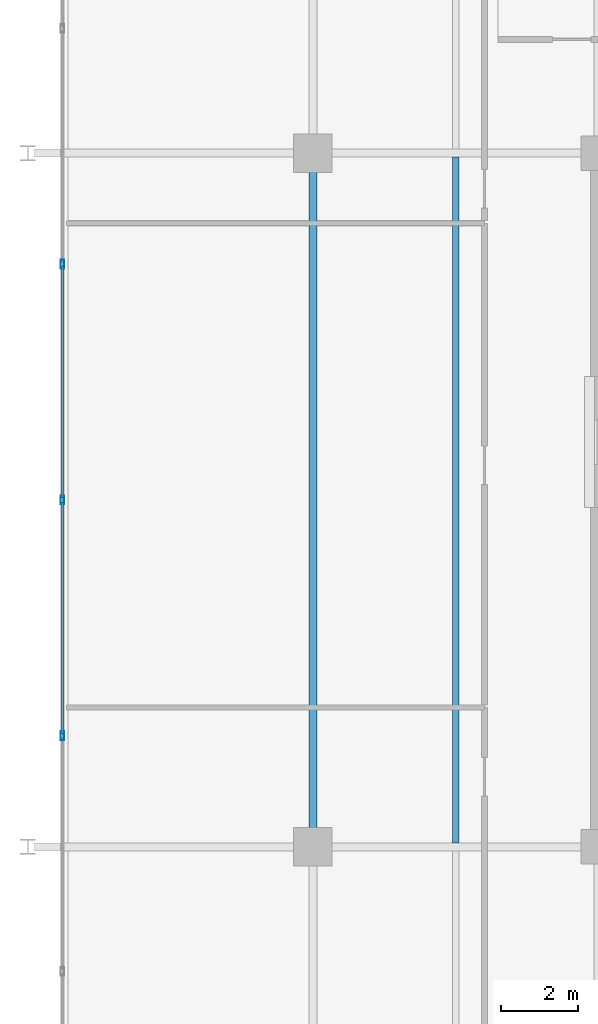
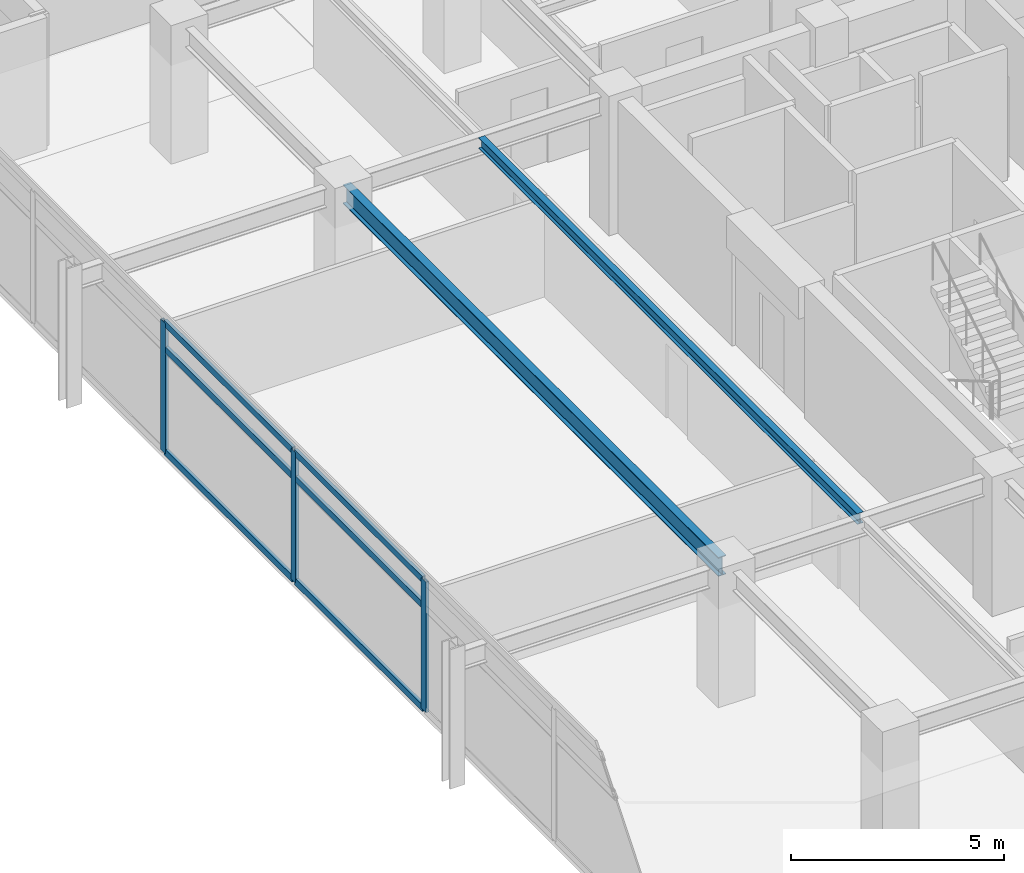
# One storey, part 4 of 20: 9 members, 2 beams, 1 element without a shape of its own.
"""IFC4 building model written with IfcOpenShell, lengths in metres."""

from ifc_helpers import new_model, si_unit, direction, frame, origin, origin_2d, place, context, subcontext, project, spatial, hollow_rectangle, i_section, extrude, material, material_profile, profile_set, type_object, element, aggregate, save


model = new_model("IFC4")

# Units and contexts
model_context = context("Model", 3, precision=1e-05, world=origin(), true_north=direction((0.0, 1.0)))
body_context = subcontext(model_context, "Body", "Model", "MODEL_VIEW")
ifc_project = project(units=[si_unit("LENGTHUNIT", "METRE"), si_unit("AREAUNIT", "SQUARE_METRE"), si_unit("VOLUMEUNIT", "CUBIC_METRE"), si_unit("PLANEANGLEUNIT", "RADIAN"), si_unit("MASSUNIT", "GRAM", prefix="KILO")], contexts=[model_context])

# Site, building, storey
site_placement = place(None, origin())
site = spatial("IfcSite", under=ifc_project, at=site_placement, CompositionType="ELEMENT")
building_placement = place(site_placement, origin())
building = spatial("IfcBuilding", under=site, at=building_placement, Name="Kovane Verandah Tower", CompositionType="ELEMENT")
storey_placement = place(building_placement, frame((0.0, 0.0, 322.800048828125)))
storey = spatial("IfcBuildingStorey", under=building, at=storey_placement, Name="L75", CompositionType="ELEMENT", Elevation=322.800048828125)

# Beam
ifc_material_1 = material(Name="Steel S355", Category="steel")
ifc_material_profile_1 = material_profile(ifc_material_1, i_section(OverallWidth=0.2119140625, OverallDepth=0.54443359375, WebThickness=0.0126953125, FlangeThickness=0.021240234375, FilletRadius=0.0126953125, at=origin_2d()), Name="UB533x210x122")
ifc_profile_set_1 = profile_set([ifc_material_profile_1], Name="Steel S355")
beam_type_1 = type_object("IfcBeamType", Name="BM-UB533x122", PredefinedType="BEAM", material=ifc_profile_set_1)
beam_1_placement = place(storey_placement, frame((21.60009765625, 18.679931640625, 3.5126953125), z_axis=(0.0, 1.0, 0.0), x_axis=(-1.0, 0.0, 0.0)))
element("IfcBeam", 1, at=beam_1_placement, inside=storey, type_object=beam_type_1, Name="L75 Primary Tower Girder G-RW2", PredefinedType="BEAM", context=body_context, shape_type="SweptSolid", body=[
    extrude(i_section(OverallWidth=0.2119140625, OverallDepth=0.54443359375, WebThickness=0.0126953125, FlangeThickness=0.021240234375, FilletRadius=0.0126953125, at=origin_2d()), origin(), (0.0, 0.0, 1.0), 17.64013671875),
])

# Curtain wall, members
ifc_material_2 = material(Name="Champagne Anodised Aluminium Frame with Low-E Clear Laminated Glass", Category="aluminium")
curtain_wall_type = type_object("IfcCurtainWallType", Name="CW-SYS-05-HIGH", PredefinedType="NOTDEFINED", material=ifc_material_2)
curtain_wall_placement = place(storey_placement, origin())
curtain_wall = element("IfcCurtainWall", 2, at=curtain_wall_placement, inside=storey, type_object=curtain_wall_type, Name="L75 W Unitised Curtain Wall", PredefinedType="NOTDEFINED")
ifc_material_3 = material(Name="Champagne Anodised Aluminium 6063-T6", Category="aluminium")
ifc_material_profile_2 = material_profile(ifc_material_3, hollow_rectangle(XDim=0.0849609375, YDim=0.22998046875, WallThickness=0.00390625, at=origin_2d()), Name="AL85x230x4")
ifc_profile_set_2 = profile_set([ifc_material_profile_2], Name="Champagne Anodised Aluminium 6063-T6")
member_type_1 = type_object("IfcMemberType", Name="CW-MUL-85x230", PredefinedType="MULLION", material=ifc_profile_set_2)
member_1_placement = place(storey_placement, frame((15.10009765625, 33.61669921875, 0.02001953125), z_axis=(0.0, 0.0, 1.0), x_axis=(-1.0, 0.0, 0.0)))
member_1 = element("IfcMember", 3, at=member_1_placement, type_object=member_type_1, Name="L75 W Unitised Curtain Wall Mullion 3", PredefinedType="MULLION", context=body_context, shape_type="SweptSolid", body=[
    extrude(hollow_rectangle(XDim=0.0849609375, YDim=0.22998046875, WallThickness=0.00390625, at=origin_2d()), origin(), (0.0, 0.0, 1.0), 3.744873046875),
])
member_2_placement = place(storey_placement, frame((15.10009765625, 27.5, 0.02001953125), z_axis=(0.0, 0.0, 1.0), x_axis=(-1.0, 0.0, 0.0)))
member_2 = element("IfcMember", 4, at=member_2_placement, type_object=member_type_1, Name="L75 W Unitised Curtain Wall Mullion 4", PredefinedType="MULLION", context=body_context, shape_type="SweptSolid", body=[
    extrude(hollow_rectangle(XDim=0.0849609375, YDim=0.22998046875, WallThickness=0.00390625, at=origin_2d()), origin(), (0.0, 0.0, 1.0), 3.744873046875),
])
member_3_placement = place(storey_placement, frame((15.10009765625, 21.38330078125, 0.02001953125), z_axis=(0.0, 0.0, 1.0), x_axis=(-1.0, 0.0, 0.0)))
member_3 = element("IfcMember", 5, at=member_3_placement, type_object=member_type_1, Name="L75 W Unitised Curtain Wall Mullion 5", PredefinedType="MULLION", context=body_context, shape_type="SweptSolid", body=[
    extrude(hollow_rectangle(XDim=0.0849609375, YDim=0.22998046875, WallThickness=0.00390625, at=origin_2d()), origin(), (0.0, 0.0, 1.0), 3.744873046875),
])
ifc_material_profile_3 = material_profile(ifc_material_3, hollow_rectangle(XDim=0.0849609375, YDim=0.18994140625, WallThickness=0.00390625, at=origin_2d()), Name="AL85x190x4")
ifc_profile_set_3 = profile_set([ifc_material_profile_3], Name="Champagne Anodised Aluminium 6063-T6")
member_type_2 = type_object("IfcMemberType", Name="CW-TRN-85x190", PredefinedType="USERDEFINED", material=ifc_profile_set_3)
member_4_placement = place(storey_placement, frame((15.10009765625, 33.566650390625, 0.050048828125), z_axis=(0.0, -1.0, 0.0), x_axis=(1.0, 0.0, 0.0)))
member_4 = element("IfcMember", 6, at=member_4_placement, type_object=member_type_2, Name="L75 W Unitised Curtain Wall Transom TB Bay 3", ObjectType="TRANSOM", PredefinedType="USERDEFINED", context=body_context, shape_type="SweptSolid", body=[
    extrude(hollow_rectangle(XDim=0.0849609375, YDim=0.18994140625, WallThickness=0.00390625, at=origin_2d()), origin(), (0.0, 0.0, 1.0), 6.0166015625),
])
member_5_placement = place(storey_placement, frame((15.10009765625, 33.566650390625, 3.0048828125), z_axis=(0.0, -1.0, 0.0), x_axis=(1.0, 0.0, 0.0)))
member_5 = element("IfcMember", 7, at=member_5_placement, type_object=member_type_2, Name="L75 W Unitised Curtain Wall Transom TM Bay 3", ObjectType="TRANSOM", PredefinedType="USERDEFINED", context=body_context, shape_type="SweptSolid", body=[
    extrude(hollow_rectangle(XDim=0.0849609375, YDim=0.18994140625, WallThickness=0.00390625, at=origin_2d()), origin(), (0.0, 0.0, 1.0), 6.0166015625),
])
member_6_placement = place(storey_placement, frame((15.10009765625, 33.566650390625, 3.73486328125), z_axis=(0.0, -1.0, 0.0), x_axis=(1.0, 0.0, 0.0)))
member_6 = element("IfcMember", 8, at=member_6_placement, type_object=member_type_2, Name="L75 W Unitised Curtain Wall Transom TT Bay 3", ObjectType="TRANSOM", PredefinedType="USERDEFINED", context=body_context, shape_type="SweptSolid", body=[
    extrude(hollow_rectangle(XDim=0.0849609375, YDim=0.18994140625, WallThickness=0.00390625, at=origin_2d()), origin(), (0.0, 0.0, 1.0), 6.0166015625),
])
member_7_placement = place(storey_placement, frame((15.10009765625, 27.449951171875, 0.050048828125), z_axis=(0.0, -1.0, 0.0), x_axis=(1.0, 0.0, 0.0)))
member_7 = element("IfcMember", 9, at=member_7_placement, type_object=member_type_2, Name="L75 W Unitised Curtain Wall Transom TB Bay 4", ObjectType="TRANSOM", PredefinedType="USERDEFINED", context=body_context, shape_type="SweptSolid", body=[
    extrude(hollow_rectangle(XDim=0.0849609375, YDim=0.18994140625, WallThickness=0.00390625, at=origin_2d()), origin(), (0.0, 0.0, 1.0), 6.0166015625),
])
member_8_placement = place(storey_placement, frame((15.10009765625, 27.449951171875, 3.0048828125), z_axis=(0.0, -1.0, 0.0), x_axis=(1.0, 0.0, 0.0)))
member_8 = element("IfcMember", 10, at=member_8_placement, type_object=member_type_2, Name="L75 W Unitised Curtain Wall Transom TM Bay 4", ObjectType="TRANSOM", PredefinedType="USERDEFINED", context=body_context, shape_type="SweptSolid", body=[
    extrude(hollow_rectangle(XDim=0.0849609375, YDim=0.18994140625, WallThickness=0.00390625, at=origin_2d()), origin(), (0.0, 0.0, 1.0), 6.0166015625),
])
member_9_placement = place(storey_placement, frame((15.10009765625, 27.449951171875, 3.73486328125), z_axis=(0.0, -1.0, 0.0), x_axis=(1.0, 0.0, 0.0)))
member_9 = element("IfcMember", 11, at=member_9_placement, type_object=member_type_2, Name="L75 W Unitised Curtain Wall Transom TT Bay 4", ObjectType="TRANSOM", PredefinedType="USERDEFINED", context=body_context, shape_type="SweptSolid", body=[
    extrude(hollow_rectangle(XDim=0.0849609375, YDim=0.18994140625, WallThickness=0.00390625, at=origin_2d()), origin(), (0.0, 0.0, 1.0), 6.0166015625),
])
aggregate(curtain_wall, [member_1, member_2, member_3, member_4, member_5, member_6, member_7, member_8, member_9])

# Beam
ifc_material_profile_4 = material_profile(ifc_material_1, i_section(OverallWidth=0.1669921875, OverallDepth=0.310302734375, WebThickness=0.0078125, FlangeThickness=0.013671875, FilletRadius=0.0087890625, at=origin_2d()), Name="UB305x165x54")
ifc_profile_set_4 = profile_set([ifc_material_profile_4], Name="Steel S355")
beam_type_2 = type_object("IfcBeamType", Name="JST-UB305x54", PredefinedType="JOIST", material=ifc_profile_set_4)
beam_2_placement = place(storey_placement, frame((25.300048828125, 18.60400390625, 3.629638671875), z_axis=(0.0, 1.0, 0.0), x_axis=(-1.0, 0.0, 0.0)))
element("IfcBeam", 12, at=beam_2_placement, inside=storey, type_object=beam_type_2, Name="L75 Secondary Composite Joist J-W1", PredefinedType="JOIST", context=body_context, shape_type="SweptSolid", body=[
    extrude(i_section(OverallWidth=0.1669921875, OverallDepth=0.310302734375, WebThickness=0.0078125, FlangeThickness=0.013671875, FilletRadius=0.0087890625, at=origin_2d()), origin(), (0.0, 0.0, 1.0), 17.7919921875),
])

save(model, "model.ifc")
